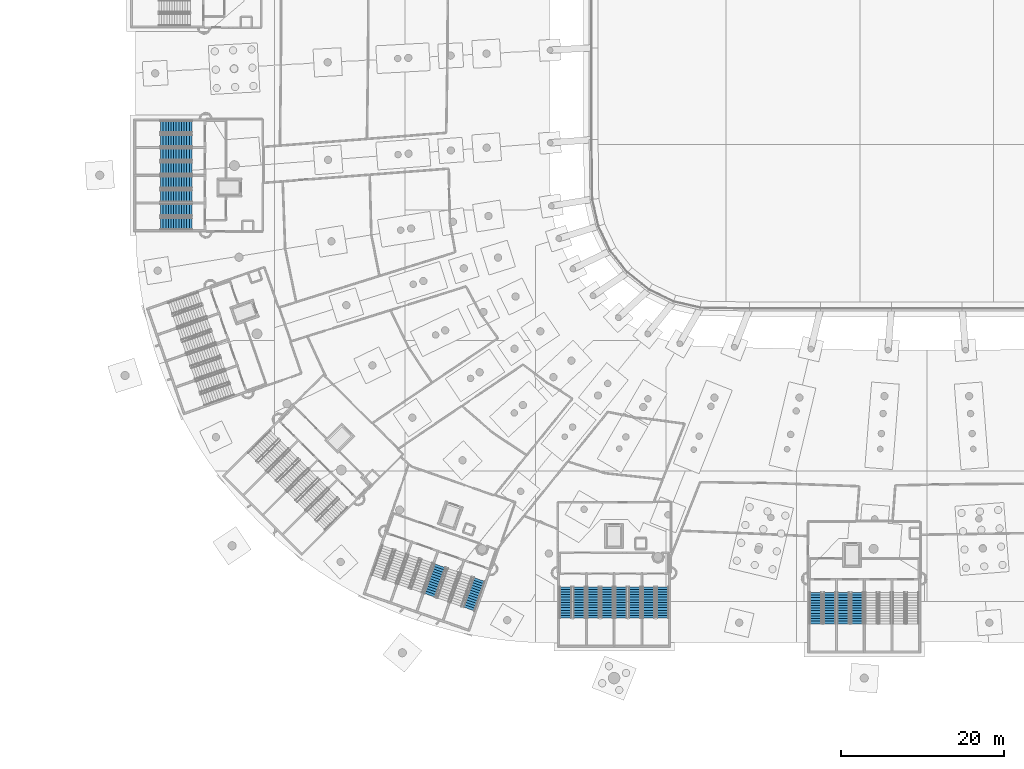
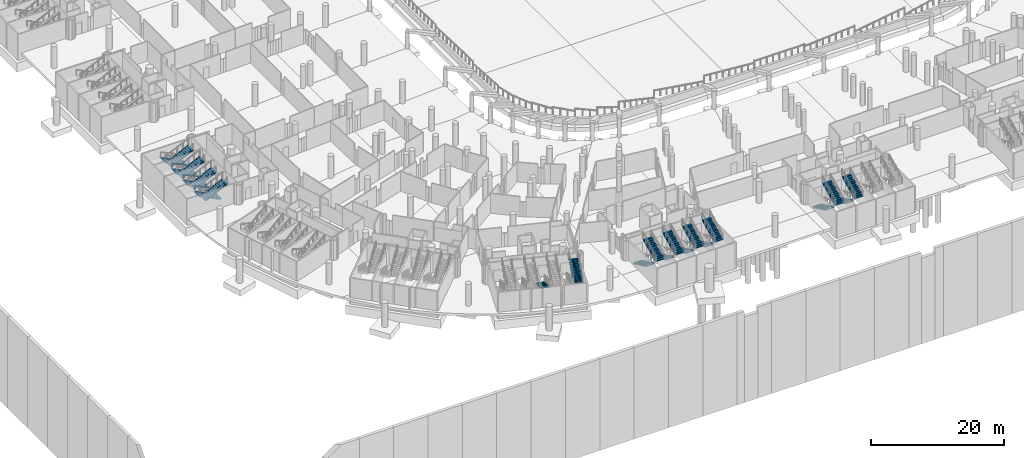
# One storey, part 99 of 142: 22 stair flights, 12 elements without a shape of their own.
"""IFC4 building model written with IfcOpenShell, lengths in metres."""

from ifc_helpers import new_model, si_unit, direction, frame, origin, place, context, subcontext, project, spatial, polyline, outline, extrude, material, type_object, element, aggregate, save


model = new_model("IFC4")

# Units and contexts
model_context = context("Model", 3, precision=1e-05, world=origin(), true_north=direction((0.0, 1.0)))
body_context = subcontext(model_context, "Body", "Model", "MODEL_VIEW")
ifc_project = project(units=[si_unit("LENGTHUNIT", "METRE"), si_unit("AREAUNIT", "SQUARE_METRE"), si_unit("VOLUMEUNIT", "CUBIC_METRE"), si_unit("PLANEANGLEUNIT", "RADIAN"), si_unit("MASSUNIT", "GRAM", prefix="KILO")], contexts=[model_context])

# Site, building, storey
site_placement = place(None, origin())
site = spatial("IfcSite", under=ifc_project, at=site_placement, CompositionType="ELEMENT")
building_placement = place(site_placement, origin())
building = spatial("IfcBuilding", under=site, at=building_placement, Name="Meseta Stadium", CompositionType="ELEMENT")
storey_placement = place(building_placement, frame((0.0, 0.0, -4.0)))
storey = spatial("IfcBuildingStorey", under=building, at=storey_placement, Name="B1", CompositionType="ELEMENT", Elevation=-4.0)

# Stair, stair flights
ifc_material_1 = material(Name="Concrete C40/50", Category="concrete")
stair_type = type_object("IfcStairType", Name="Exit stair 2 flights 154 mm risers", PredefinedType="HALF_TURN_STAIR", material=ifc_material_1)
stair_1_placement = place(storey_placement, origin())
stair_1 = element("IfcStair", 1, at=stair_1_placement, inside=storey, type_object=stair_type, Name="ST73 B1", PredefinedType="HALF_TURN_STAIR")
ifc_material_2 = material(Name="Concrete C40/50", Category="concrete")
stair_flight_type = type_object("IfcStairFlightType", Name="Exit stair flight 154 mm risers, 2 per storey", PredefinedType="STRAIGHT", material=ifc_material_2)
stair_flight_1_placement = place(storey_placement, frame((-90.10009765625, -37.800048828125, 0.0), z_axis=(0.0, 0.0, 1.0), x_axis=(-1.0, 0.0, 0.0)))
stair_flight_1 = element("IfcStairFlight", 2, at=stair_flight_1_placement, type_object=stair_flight_type, Name="ST73 B1 flight 1", NumberOfRisers=13, NumberOfTreads=12, PredefinedType="STRAIGHT", RiserHeight=0.153846154, TreadLength=0.32, context=body_context, shape_type="SweptSolid", body=[
    extrude(outline(polyline([(0.0, 0.0), (0.0, 0.15380859375), (0.320068359375, 0.15380859375), (0.320068359375, 0.3076171875), (0.639892578125, 0.3076171875), (0.639892578125, 0.46142578125), (0.9599609375, 0.46142578125), (0.9599609375, 0.615478515625), (1.280029296875, 0.615478515625), (1.280029296875, 0.769287109375), (1.60009765625, 0.769287109375), (1.60009765625, 0.923095703125), (1.919921875, 0.923095703125), (1.919921875, 1.076904296875), (2.239990234375, 1.076904296875), (2.239990234375, 1.230712890625), (2.56005859375, 1.230712890625), (2.56005859375, 1.384521484375), (2.8798828125, 1.384521484375), (2.8798828125, 1.53857421875), (3.199951171875, 1.53857421875), (3.199951171875, 1.6923828125), (3.52001953125, 1.6923828125), (3.52001953125, 1.84619140625), (3.840087890625, 1.84619140625), (3.840087890625, 1.679931640625), (0.345947265625, 0.0), (0.0, 0.0)])), frame((0.0, 0.75, 0.0), z_axis=(0.0, -1.0, 0.0), x_axis=(1.0, 0.0, 0.0)), (0.0, 0.0, 1.0), 1.5),
])
stair_flight_2_placement = place(storey_placement, frame((-93.93994140625, -39.5, 2.0), z_axis=(0.0, 0.0, 1.0), x_axis=(1.0, 0.0, 0.0)))
stair_flight_2 = element("IfcStairFlight", 3, at=stair_flight_2_placement, type_object=stair_flight_type, Name="ST73 B1 flight 2", NumberOfRisers=13, NumberOfTreads=12, PredefinedType="STRAIGHT", RiserHeight=0.153846154, TreadLength=0.32, context=body_context, shape_type="SweptSolid", body=[
    extrude(outline(polyline([(0.0, 0.0), (0.0, 0.15380859375), (0.320068359375, 0.15380859375), (0.320068359375, 0.3076171875), (0.639892578125, 0.3076171875), (0.639892578125, 0.46142578125), (0.9599609375, 0.46142578125), (0.9599609375, 0.615478515625), (1.280029296875, 0.615478515625), (1.280029296875, 0.769287109375), (1.60009765625, 0.769287109375), (1.60009765625, 0.923095703125), (1.919921875, 0.923095703125), (1.919921875, 1.076904296875), (2.239990234375, 1.076904296875), (2.239990234375, 1.230712890625), (2.56005859375, 1.230712890625), (2.56005859375, 1.384521484375), (2.8798828125, 1.384521484375), (2.8798828125, 1.53857421875), (3.199951171875, 1.53857421875), (3.199951171875, 1.6923828125), (3.52001953125, 1.6923828125), (3.52001953125, 1.84619140625), (3.840087890625, 1.84619140625), (3.840087890625, 1.679931640625), (0.345947265625, 0.0), (0.0, 0.0)])), frame((0.0, 0.75, 0.0), z_axis=(0.0, -1.0, 0.0), x_axis=(1.0, 0.0, 0.0)), (0.0, 0.0, 1.0), 1.5),
])
aggregate(stair_1, [stair_flight_1, stair_flight_2])

stair_2_placement = place(storey_placement, origin())
stair_2 = element("IfcStair", 4, at=stair_2_placement, inside=storey, type_object=stair_type, Name="ST74 B1", PredefinedType="HALF_TURN_STAIR")
stair_flight_3_placement = place(storey_placement, frame((-90.10009765625, -41.199951171875, 0.0), z_axis=(0.0, 0.0, 1.0), x_axis=(-1.0, 0.0, 0.0)))
stair_flight_3 = element("IfcStairFlight", 5, at=stair_flight_3_placement, type_object=stair_flight_type, Name="ST74 B1 flight 1", NumberOfRisers=13, NumberOfTreads=12, PredefinedType="STRAIGHT", RiserHeight=0.153846154, TreadLength=0.32, context=body_context, shape_type="SweptSolid", body=[
    extrude(outline(polyline([(0.0, 0.0), (0.0, 0.15380859375), (0.320068359375, 0.15380859375), (0.320068359375, 0.3076171875), (0.639892578125, 0.3076171875), (0.639892578125, 0.46142578125), (0.9599609375, 0.46142578125), (0.9599609375, 0.615478515625), (1.280029296875, 0.615478515625), (1.280029296875, 0.769287109375), (1.60009765625, 0.769287109375), (1.60009765625, 0.923095703125), (1.919921875, 0.923095703125), (1.919921875, 1.076904296875), (2.239990234375, 1.076904296875), (2.239990234375, 1.230712890625), (2.56005859375, 1.230712890625), (2.56005859375, 1.384521484375), (2.8798828125, 1.384521484375), (2.8798828125, 1.53857421875), (3.199951171875, 1.53857421875), (3.199951171875, 1.6923828125), (3.52001953125, 1.6923828125), (3.52001953125, 1.84619140625), (3.840087890625, 1.84619140625), (3.840087890625, 1.679931640625), (0.345947265625, 0.0), (0.0, 0.0)])), frame((0.0, 0.75, 0.0), z_axis=(0.0, -1.0, 0.0), x_axis=(1.0, 0.0, 0.0)), (0.0, 0.0, 1.0), 1.5),
])
stair_flight_4_placement = place(storey_placement, frame((-93.93994140625, -42.89990234375, 2.0), z_axis=(0.0, 0.0, 1.0), x_axis=(1.0, 0.0, 0.0)))
stair_flight_4 = element("IfcStairFlight", 6, at=stair_flight_4_placement, type_object=stair_flight_type, Name="ST74 B1 flight 2", NumberOfRisers=13, NumberOfTreads=12, PredefinedType="STRAIGHT", RiserHeight=0.153846154, TreadLength=0.32, context=body_context, shape_type="SweptSolid", body=[
    extrude(outline(polyline([(0.0, 0.0), (0.0, 0.15380859375), (0.320068359375, 0.15380859375), (0.320068359375, 0.3076171875), (0.639892578125, 0.3076171875), (0.639892578125, 0.46142578125), (0.9599609375, 0.46142578125), (0.9599609375, 0.615478515625), (1.280029296875, 0.615478515625), (1.280029296875, 0.769287109375), (1.60009765625, 0.769287109375), (1.60009765625, 0.923095703125), (1.919921875, 0.923095703125), (1.919921875, 1.076904296875), (2.239990234375, 1.076904296875), (2.239990234375, 1.230712890625), (2.56005859375, 1.230712890625), (2.56005859375, 1.384521484375), (2.8798828125, 1.384521484375), (2.8798828125, 1.53857421875), (3.199951171875, 1.53857421875), (3.199951171875, 1.6923828125), (3.52001953125, 1.6923828125), (3.52001953125, 1.84619140625), (3.840087890625, 1.84619140625), (3.840087890625, 1.679931640625), (0.345947265625, 0.0), (0.0, 0.0)])), frame((0.0, 0.75, 0.0), z_axis=(0.0, -1.0, 0.0), x_axis=(1.0, 0.0, 0.0)), (0.0, 0.0, 1.0), 1.5),
])
aggregate(stair_2, [stair_flight_3, stair_flight_4])

stair_3_placement = place(storey_placement, origin())
stair_3 = element("IfcStair", 7, at=stair_3_placement, inside=storey, type_object=stair_type, Name="ST75 B1", PredefinedType="HALF_TURN_STAIR")
stair_flight_5_placement = place(storey_placement, frame((-90.10009765625, -44.60009765625, 0.0), z_axis=(0.0, 0.0, 1.0), x_axis=(-1.0, 0.0, 0.0)))
stair_flight_5 = element("IfcStairFlight", 8, at=stair_flight_5_placement, type_object=stair_flight_type, Name="ST75 B1 flight 1", NumberOfRisers=13, NumberOfTreads=12, PredefinedType="STRAIGHT", RiserHeight=0.153846154, TreadLength=0.32, context=body_context, shape_type="SweptSolid", body=[
    extrude(outline(polyline([(0.0, 0.0), (0.0, 0.15380859375), (0.320068359375, 0.15380859375), (0.320068359375, 0.3076171875), (0.639892578125, 0.3076171875), (0.639892578125, 0.46142578125), (0.9599609375, 0.46142578125), (0.9599609375, 0.615478515625), (1.280029296875, 0.615478515625), (1.280029296875, 0.769287109375), (1.60009765625, 0.769287109375), (1.60009765625, 0.923095703125), (1.919921875, 0.923095703125), (1.919921875, 1.076904296875), (2.239990234375, 1.076904296875), (2.239990234375, 1.230712890625), (2.56005859375, 1.230712890625), (2.56005859375, 1.384521484375), (2.8798828125, 1.384521484375), (2.8798828125, 1.53857421875), (3.199951171875, 1.53857421875), (3.199951171875, 1.6923828125), (3.52001953125, 1.6923828125), (3.52001953125, 1.84619140625), (3.840087890625, 1.84619140625), (3.840087890625, 1.679931640625), (0.345947265625, 0.0), (0.0, 0.0)])), frame((0.0, 0.75, 0.0), z_axis=(0.0, -1.0, 0.0), x_axis=(1.0, 0.0, 0.0)), (0.0, 0.0, 1.0), 1.5),
])
stair_flight_6_placement = place(storey_placement, frame((-93.93994140625, -46.300048828125, 2.0), z_axis=(0.0, 0.0, 1.0), x_axis=(1.0, 0.0, 0.0)))
stair_flight_6 = element("IfcStairFlight", 9, at=stair_flight_6_placement, type_object=stair_flight_type, Name="ST75 B1 flight 2", NumberOfRisers=13, NumberOfTreads=12, PredefinedType="STRAIGHT", RiserHeight=0.153846154, TreadLength=0.32, context=body_context, shape_type="SweptSolid", body=[
    extrude(outline(polyline([(0.0, 0.0), (0.0, 0.15380859375), (0.320068359375, 0.15380859375), (0.320068359375, 0.3076171875), (0.639892578125, 0.3076171875), (0.639892578125, 0.46142578125), (0.9599609375, 0.46142578125), (0.9599609375, 0.615478515625), (1.280029296875, 0.615478515625), (1.280029296875, 0.769287109375), (1.60009765625, 0.769287109375), (1.60009765625, 0.923095703125), (1.919921875, 0.923095703125), (1.919921875, 1.076904296875), (2.239990234375, 1.076904296875), (2.239990234375, 1.230712890625), (2.56005859375, 1.230712890625), (2.56005859375, 1.384521484375), (2.8798828125, 1.384521484375), (2.8798828125, 1.53857421875), (3.199951171875, 1.53857421875), (3.199951171875, 1.6923828125), (3.52001953125, 1.6923828125), (3.52001953125, 1.84619140625), (3.840087890625, 1.84619140625), (3.840087890625, 1.679931640625), (0.345947265625, 0.0), (0.0, 0.0)])), frame((0.0, 0.75, 0.0), z_axis=(0.0, -1.0, 0.0), x_axis=(1.0, 0.0, 0.0)), (0.0, 0.0, 1.0), 1.5),
])
aggregate(stair_3, [stair_flight_5, stair_flight_6])

stair_4_placement = place(storey_placement, origin())
stair_4 = element("IfcStair", 10, at=stair_4_placement, inside=storey, type_object=stair_type, Name="ST76 B1", PredefinedType="HALF_TURN_STAIR")
stair_flight_7_placement = place(storey_placement, frame((-90.10009765625, -48.0, 0.0), z_axis=(0.0, 0.0, 1.0), x_axis=(-1.0, 0.0, 0.0)))
stair_flight_7 = element("IfcStairFlight", 11, at=stair_flight_7_placement, type_object=stair_flight_type, Name="ST76 B1 flight 1", NumberOfRisers=13, NumberOfTreads=12, PredefinedType="STRAIGHT", RiserHeight=0.153846154, TreadLength=0.32, context=body_context, shape_type="SweptSolid", body=[
    extrude(outline(polyline([(0.0, 0.0), (0.0, 0.15380859375), (0.320068359375, 0.15380859375), (0.320068359375, 0.3076171875), (0.639892578125, 0.3076171875), (0.639892578125, 0.46142578125), (0.9599609375, 0.46142578125), (0.9599609375, 0.615478515625), (1.280029296875, 0.615478515625), (1.280029296875, 0.769287109375), (1.60009765625, 0.769287109375), (1.60009765625, 0.923095703125), (1.919921875, 0.923095703125), (1.919921875, 1.076904296875), (2.239990234375, 1.076904296875), (2.239990234375, 1.230712890625), (2.56005859375, 1.230712890625), (2.56005859375, 1.384521484375), (2.8798828125, 1.384521484375), (2.8798828125, 1.53857421875), (3.199951171875, 1.53857421875), (3.199951171875, 1.6923828125), (3.52001953125, 1.6923828125), (3.52001953125, 1.84619140625), (3.840087890625, 1.84619140625), (3.840087890625, 1.679931640625), (0.345947265625, 0.0), (0.0, 0.0)])), frame((0.0, 0.75, 0.0), z_axis=(0.0, -1.0, 0.0), x_axis=(1.0, 0.0, 0.0)), (0.0, 0.0, 1.0), 1.5),
])
stair_flight_8_placement = place(storey_placement, frame((-93.93994140625, -49.699951171875, 2.0), z_axis=(0.0, 0.0, 1.0), x_axis=(1.0, 0.0, 0.0)))
stair_flight_8 = element("IfcStairFlight", 12, at=stair_flight_8_placement, type_object=stair_flight_type, Name="ST76 B1 flight 2", NumberOfRisers=13, NumberOfTreads=12, PredefinedType="STRAIGHT", RiserHeight=0.153846154, TreadLength=0.32, context=body_context, shape_type="SweptSolid", body=[
    extrude(outline(polyline([(0.0, 0.0), (0.0, 0.15380859375), (0.320068359375, 0.15380859375), (0.320068359375, 0.3076171875), (0.639892578125, 0.3076171875), (0.639892578125, 0.46142578125), (0.9599609375, 0.46142578125), (0.9599609375, 0.615478515625), (1.280029296875, 0.615478515625), (1.280029296875, 0.769287109375), (1.60009765625, 0.769287109375), (1.60009765625, 0.923095703125), (1.919921875, 0.923095703125), (1.919921875, 1.076904296875), (2.239990234375, 1.076904296875), (2.239990234375, 1.230712890625), (2.56005859375, 1.230712890625), (2.56005859375, 1.384521484375), (2.8798828125, 1.384521484375), (2.8798828125, 1.53857421875), (3.199951171875, 1.53857421875), (3.199951171875, 1.6923828125), (3.52001953125, 1.6923828125), (3.52001953125, 1.84619140625), (3.840087890625, 1.84619140625), (3.840087890625, 1.679931640625), (0.345947265625, 0.0), (0.0, 0.0)])), frame((0.0, 0.75, 0.0), z_axis=(0.0, -1.0, 0.0), x_axis=(1.0, 0.0, 0.0)), (0.0, 0.0, 1.0), 1.5),
])
aggregate(stair_4, [stair_flight_7, stair_flight_8])

# Stair, stair flight
stair_5_placement = place(storey_placement, origin())
stair_5 = element("IfcStair", 13, at=stair_5_placement, inside=storey, type_object=stair_type, Name="ST87 B1", PredefinedType="HALF_TURN_STAIR")
stair_flight_9_placement = place(storey_placement, frame((-59.663818359375, -91.622802734375, 0.0), z_axis=(0.0, 0.0, 1.0), x_axis=(-0.330279057248, -0.943883331955, 0.0)))
stair_flight_9 = element("IfcStairFlight", 14, at=stair_flight_9_placement, type_object=stair_flight_type, Name="ST87 B1 flight 1", NumberOfRisers=13, NumberOfTreads=12, PredefinedType="STRAIGHT", RiserHeight=0.153846154, TreadLength=0.32, context=body_context, shape_type="SweptSolid", body=[
    extrude(outline(polyline([(0.0, 0.0), (0.0, 0.15380859375), (0.320068359375, 0.15380859375), (0.320068359375, 0.3076171875), (0.639892578125, 0.3076171875), (0.639892578125, 0.46142578125), (0.9599609375, 0.46142578125), (0.9599609375, 0.615478515625), (1.280029296875, 0.615478515625), (1.280029296875, 0.769287109375), (1.60009765625, 0.769287109375), (1.60009765625, 0.923095703125), (1.919921875, 0.923095703125), (1.919921875, 1.076904296875), (2.239990234375, 1.076904296875), (2.239990234375, 1.230712890625), (2.56005859375, 1.230712890625), (2.56005859375, 1.384521484375), (2.8798828125, 1.384521484375), (2.8798828125, 1.53857421875), (3.199951171875, 1.53857421875), (3.199951171875, 1.6923828125), (3.52001953125, 1.6923828125), (3.52001953125, 1.84619140625), (3.840087890625, 1.84619140625), (3.840087890625, 1.679931640625), (0.345947265625, 0.0), (0.0, 0.0)])), frame((0.0, 0.75, 0.0), z_axis=(0.0, -1.0, 0.0), x_axis=(1.0, 0.0, 0.0)), (0.0, 0.0, 1.0), 1.5),
])
aggregate(stair_5, [stair_flight_9])

stair_6_placement = place(storey_placement, origin())
stair_6 = element("IfcStair", 15, at=stair_6_placement, inside=storey, type_object=stair_type, Name="ST88 B1", PredefinedType="HALF_TURN_STAIR")
stair_flight_10_placement = place(storey_placement, frame((-56.118408203125, -96.931640625, 2.0), z_axis=(0.0, 0.0, 1.0), x_axis=(0.330279057248, 0.943883331955, 0.0)))
stair_flight_10 = element("IfcStairFlight", 16, at=stair_flight_10_placement, type_object=stair_flight_type, Name="ST88 B1 flight 2", NumberOfRisers=13, NumberOfTreads=12, PredefinedType="STRAIGHT", RiserHeight=0.153846154, TreadLength=0.32, context=body_context, shape_type="SweptSolid", body=[
    extrude(outline(polyline([(0.0, 0.0), (0.0, 0.15380859375), (0.320068359375, 0.15380859375), (0.320068359375, 0.3076171875), (0.639892578125, 0.3076171875), (0.639892578125, 0.46142578125), (0.9599609375, 0.46142578125), (0.9599609375, 0.615478515625), (1.280029296875, 0.615478515625), (1.280029296875, 0.769287109375), (1.60009765625, 0.769287109375), (1.60009765625, 0.923095703125), (1.919921875, 0.923095703125), (1.919921875, 1.076904296875), (2.239990234375, 1.076904296875), (2.239990234375, 1.230712890625), (2.56005859375, 1.230712890625), (2.56005859375, 1.384521484375), (2.8798828125, 1.384521484375), (2.8798828125, 1.53857421875), (3.199951171875, 1.53857421875), (3.199951171875, 1.6923828125), (3.52001953125, 1.6923828125), (3.52001953125, 1.84619140625), (3.840087890625, 1.84619140625), (3.840087890625, 1.679931640625), (0.345947265625, 0.0), (0.0, 0.0)])), frame((0.0, 0.75, 0.0), z_axis=(0.0, -1.0, 0.0), x_axis=(1.0, 0.0, 0.0)), (0.0, 0.0, 1.0), 1.5),
])
aggregate(stair_6, [stair_flight_10])

# Stair, stair flights
stair_7_placement = place(storey_placement, origin())
stair_7 = element("IfcStair", 17, at=stair_7_placement, inside=storey, type_object=stair_type, Name="ST89 B1", PredefinedType="HALF_TURN_STAIR")
stair_flight_11_placement = place(storey_placement, frame((-44.283447265625, -94.199951171875, 0.0), z_axis=(0.0, 0.0, 1.0), x_axis=(0.0, -1.0, 0.0)))
stair_flight_11 = element("IfcStairFlight", 18, at=stair_flight_11_placement, type_object=stair_flight_type, Name="ST89 B1 flight 1", NumberOfRisers=13, NumberOfTreads=12, PredefinedType="STRAIGHT", RiserHeight=0.153846154, TreadLength=0.32, context=body_context, shape_type="SweptSolid", body=[
    extrude(outline(polyline([(0.0, 0.0), (0.0, 0.15380859375), (0.320068359375, 0.15380859375), (0.320068359375, 0.3076171875), (0.639892578125, 0.3076171875), (0.639892578125, 0.46142578125), (0.9599609375, 0.46142578125), (0.9599609375, 0.615478515625), (1.280029296875, 0.615478515625), (1.280029296875, 0.769287109375), (1.60009765625, 0.769287109375), (1.60009765625, 0.923095703125), (1.919921875, 0.923095703125), (1.919921875, 1.076904296875), (2.239990234375, 1.076904296875), (2.239990234375, 1.230712890625), (2.56005859375, 1.230712890625), (2.56005859375, 1.384521484375), (2.8798828125, 1.384521484375), (2.8798828125, 1.53857421875), (3.199951171875, 1.53857421875), (3.199951171875, 1.6923828125), (3.52001953125, 1.6923828125), (3.52001953125, 1.84619140625), (3.840087890625, 1.84619140625), (3.840087890625, 1.679931640625), (0.345947265625, 0.0), (0.0, 0.0)])), frame((0.0, 0.75, 0.0), z_axis=(0.0, -1.0, 0.0), x_axis=(1.0, 0.0, 0.0)), (0.0, 0.0, 1.0), 1.5),
])
stair_flight_12_placement = place(storey_placement, frame((-42.583251953125, -98.0400390625, 2.0), z_axis=(0.0, 0.0, 1.0), x_axis=(0.0, 1.0, 0.0)))
stair_flight_12 = element("IfcStairFlight", 19, at=stair_flight_12_placement, type_object=stair_flight_type, Name="ST89 B1 flight 2", NumberOfRisers=13, NumberOfTreads=12, PredefinedType="STRAIGHT", RiserHeight=0.153846154, TreadLength=0.32, context=body_context, shape_type="SweptSolid", body=[
    extrude(outline(polyline([(0.0, 0.0), (0.0, 0.15380859375), (0.320068359375, 0.15380859375), (0.320068359375, 0.3076171875), (0.639892578125, 0.3076171875), (0.639892578125, 0.46142578125), (0.9599609375, 0.46142578125), (0.9599609375, 0.615478515625), (1.280029296875, 0.615478515625), (1.280029296875, 0.769287109375), (1.60009765625, 0.769287109375), (1.60009765625, 0.923095703125), (1.919921875, 0.923095703125), (1.919921875, 1.076904296875), (2.239990234375, 1.076904296875), (2.239990234375, 1.230712890625), (2.56005859375, 1.230712890625), (2.56005859375, 1.384521484375), (2.8798828125, 1.384521484375), (2.8798828125, 1.53857421875), (3.199951171875, 1.53857421875), (3.199951171875, 1.6923828125), (3.52001953125, 1.6923828125), (3.52001953125, 1.84619140625), (3.840087890625, 1.84619140625), (3.840087890625, 1.679931640625), (0.345947265625, 0.0), (0.0, 0.0)])), frame((0.0, 0.75, 0.0), z_axis=(0.0, -1.0, 0.0), x_axis=(1.0, 0.0, 0.0)), (0.0, 0.0, 1.0), 1.5),
])
aggregate(stair_7, [stair_flight_11, stair_flight_12])

stair_8_placement = place(storey_placement, origin())
stair_8 = element("IfcStair", 20, at=stair_8_placement, inside=storey, type_object=stair_type, Name="ST90 B1", PredefinedType="HALF_TURN_STAIR")
stair_flight_13_placement = place(storey_placement, frame((-40.88330078125, -94.199951171875, 0.0), z_axis=(0.0, 0.0, 1.0), x_axis=(0.0, -1.0, 0.0)))
stair_flight_13 = element("IfcStairFlight", 21, at=stair_flight_13_placement, type_object=stair_flight_type, Name="ST90 B1 flight 1", NumberOfRisers=13, NumberOfTreads=12, PredefinedType="STRAIGHT", RiserHeight=0.153846154, TreadLength=0.32, context=body_context, shape_type="SweptSolid", body=[
    extrude(outline(polyline([(0.0, 0.0), (0.0, 0.15380859375), (0.320068359375, 0.15380859375), (0.320068359375, 0.3076171875), (0.639892578125, 0.3076171875), (0.639892578125, 0.46142578125), (0.9599609375, 0.46142578125), (0.9599609375, 0.615478515625), (1.280029296875, 0.615478515625), (1.280029296875, 0.769287109375), (1.60009765625, 0.769287109375), (1.60009765625, 0.923095703125), (1.919921875, 0.923095703125), (1.919921875, 1.076904296875), (2.239990234375, 1.076904296875), (2.239990234375, 1.230712890625), (2.56005859375, 1.230712890625), (2.56005859375, 1.384521484375), (2.8798828125, 1.384521484375), (2.8798828125, 1.53857421875), (3.199951171875, 1.53857421875), (3.199951171875, 1.6923828125), (3.52001953125, 1.6923828125), (3.52001953125, 1.84619140625), (3.840087890625, 1.84619140625), (3.840087890625, 1.679931640625), (0.345947265625, 0.0), (0.0, 0.0)])), frame((0.0, 0.75, 0.0), z_axis=(0.0, -1.0, 0.0), x_axis=(1.0, 0.0, 0.0)), (0.0, 0.0, 1.0), 1.5),
])
stair_flight_14_placement = place(storey_placement, frame((-39.183349609375, -98.0400390625, 2.0), z_axis=(0.0, 0.0, 1.0), x_axis=(0.0, 1.0, 0.0)))
stair_flight_14 = element("IfcStairFlight", 22, at=stair_flight_14_placement, type_object=stair_flight_type, Name="ST90 B1 flight 2", NumberOfRisers=13, NumberOfTreads=12, PredefinedType="STRAIGHT", RiserHeight=0.153846154, TreadLength=0.32, context=body_context, shape_type="SweptSolid", body=[
    extrude(outline(polyline([(0.0, 0.0), (0.0, 0.15380859375), (0.320068359375, 0.15380859375), (0.320068359375, 0.3076171875), (0.639892578125, 0.3076171875), (0.639892578125, 0.46142578125), (0.9599609375, 0.46142578125), (0.9599609375, 0.615478515625), (1.280029296875, 0.615478515625), (1.280029296875, 0.769287109375), (1.60009765625, 0.769287109375), (1.60009765625, 0.923095703125), (1.919921875, 0.923095703125), (1.919921875, 1.076904296875), (2.239990234375, 1.076904296875), (2.239990234375, 1.230712890625), (2.56005859375, 1.230712890625), (2.56005859375, 1.384521484375), (2.8798828125, 1.384521484375), (2.8798828125, 1.53857421875), (3.199951171875, 1.53857421875), (3.199951171875, 1.6923828125), (3.52001953125, 1.6923828125), (3.52001953125, 1.84619140625), (3.840087890625, 1.84619140625), (3.840087890625, 1.679931640625), (0.345947265625, 0.0), (0.0, 0.0)])), frame((0.0, 0.75, 0.0), z_axis=(0.0, -1.0, 0.0), x_axis=(1.0, 0.0, 0.0)), (0.0, 0.0, 1.0), 1.5),
])
aggregate(stair_8, [stair_flight_13, stair_flight_14])

stair_9_placement = place(storey_placement, origin())
stair_9 = element("IfcStair", 23, at=stair_9_placement, inside=storey, type_object=stair_type, Name="ST91 B1", PredefinedType="HALF_TURN_STAIR")
stair_flight_15_placement = place(storey_placement, frame((-37.4833984375, -94.199951171875, 0.0), z_axis=(0.0, 0.0, 1.0), x_axis=(0.0, -1.0, 0.0)))
stair_flight_15 = element("IfcStairFlight", 24, at=stair_flight_15_placement, type_object=stair_flight_type, Name="ST91 B1 flight 1", NumberOfRisers=13, NumberOfTreads=12, PredefinedType="STRAIGHT", RiserHeight=0.153846154, TreadLength=0.32, context=body_context, shape_type="SweptSolid", body=[
    extrude(outline(polyline([(0.0, 0.0), (0.0, 0.15380859375), (0.320068359375, 0.15380859375), (0.320068359375, 0.3076171875), (0.639892578125, 0.3076171875), (0.639892578125, 0.46142578125), (0.9599609375, 0.46142578125), (0.9599609375, 0.615478515625), (1.280029296875, 0.615478515625), (1.280029296875, 0.769287109375), (1.60009765625, 0.769287109375), (1.60009765625, 0.923095703125), (1.919921875, 0.923095703125), (1.919921875, 1.076904296875), (2.239990234375, 1.076904296875), (2.239990234375, 1.230712890625), (2.56005859375, 1.230712890625), (2.56005859375, 1.384521484375), (2.8798828125, 1.384521484375), (2.8798828125, 1.53857421875), (3.199951171875, 1.53857421875), (3.199951171875, 1.6923828125), (3.52001953125, 1.6923828125), (3.52001953125, 1.84619140625), (3.840087890625, 1.84619140625), (3.840087890625, 1.679931640625), (0.345947265625, 0.0), (0.0, 0.0)])), frame((0.0, 0.75, 0.0), z_axis=(0.0, -1.0, 0.0), x_axis=(1.0, 0.0, 0.0)), (0.0, 0.0, 1.0), 1.5),
])
stair_flight_16_placement = place(storey_placement, frame((-35.783447265625, -98.0400390625, 2.0), z_axis=(0.0, 0.0, 1.0), x_axis=(0.0, 1.0, 0.0)))
stair_flight_16 = element("IfcStairFlight", 25, at=stair_flight_16_placement, type_object=stair_flight_type, Name="ST91 B1 flight 2", NumberOfRisers=13, NumberOfTreads=12, PredefinedType="STRAIGHT", RiserHeight=0.153846154, TreadLength=0.32, context=body_context, shape_type="SweptSolid", body=[
    extrude(outline(polyline([(0.0, 0.0), (0.0, 0.15380859375), (0.320068359375, 0.15380859375), (0.320068359375, 0.3076171875), (0.639892578125, 0.3076171875), (0.639892578125, 0.46142578125), (0.9599609375, 0.46142578125), (0.9599609375, 0.615478515625), (1.280029296875, 0.615478515625), (1.280029296875, 0.769287109375), (1.60009765625, 0.769287109375), (1.60009765625, 0.923095703125), (1.919921875, 0.923095703125), (1.919921875, 1.076904296875), (2.239990234375, 1.076904296875), (2.239990234375, 1.230712890625), (2.56005859375, 1.230712890625), (2.56005859375, 1.384521484375), (2.8798828125, 1.384521484375), (2.8798828125, 1.53857421875), (3.199951171875, 1.53857421875), (3.199951171875, 1.6923828125), (3.52001953125, 1.6923828125), (3.52001953125, 1.84619140625), (3.840087890625, 1.84619140625), (3.840087890625, 1.679931640625), (0.345947265625, 0.0), (0.0, 0.0)])), frame((0.0, 0.75, 0.0), z_axis=(0.0, -1.0, 0.0), x_axis=(1.0, 0.0, 0.0)), (0.0, 0.0, 1.0), 1.5),
])
aggregate(stair_9, [stair_flight_15, stair_flight_16])

stair_10_placement = place(storey_placement, origin())
stair_10 = element("IfcStair", 26, at=stair_10_placement, inside=storey, type_object=stair_type, Name="ST92 B1", PredefinedType="HALF_TURN_STAIR")
stair_flight_17_placement = place(storey_placement, frame((-34.083251953125, -94.199951171875, 0.0), z_axis=(0.0, 0.0, 1.0), x_axis=(0.0, -1.0, 0.0)))
stair_flight_17 = element("IfcStairFlight", 27, at=stair_flight_17_placement, type_object=stair_flight_type, Name="ST92 B1 flight 1", NumberOfRisers=13, NumberOfTreads=12, PredefinedType="STRAIGHT", RiserHeight=0.153846154, TreadLength=0.32, context=body_context, shape_type="SweptSolid", body=[
    extrude(outline(polyline([(0.0, 0.0), (0.0, 0.15380859375), (0.320068359375, 0.15380859375), (0.320068359375, 0.3076171875), (0.639892578125, 0.3076171875), (0.639892578125, 0.46142578125), (0.9599609375, 0.46142578125), (0.9599609375, 0.615478515625), (1.280029296875, 0.615478515625), (1.280029296875, 0.769287109375), (1.60009765625, 0.769287109375), (1.60009765625, 0.923095703125), (1.919921875, 0.923095703125), (1.919921875, 1.076904296875), (2.239990234375, 1.076904296875), (2.239990234375, 1.230712890625), (2.56005859375, 1.230712890625), (2.56005859375, 1.384521484375), (2.8798828125, 1.384521484375), (2.8798828125, 1.53857421875), (3.199951171875, 1.53857421875), (3.199951171875, 1.6923828125), (3.52001953125, 1.6923828125), (3.52001953125, 1.84619140625), (3.840087890625, 1.84619140625), (3.840087890625, 1.679931640625), (0.345947265625, 0.0), (0.0, 0.0)])), frame((0.0, 0.75, 0.0), z_axis=(0.0, -1.0, 0.0), x_axis=(1.0, 0.0, 0.0)), (0.0, 0.0, 1.0), 1.5),
])
stair_flight_18_placement = place(storey_placement, frame((-32.38330078125, -98.0400390625, 2.0), z_axis=(0.0, 0.0, 1.0), x_axis=(0.0, 1.0, 0.0)))
stair_flight_18 = element("IfcStairFlight", 28, at=stair_flight_18_placement, type_object=stair_flight_type, Name="ST92 B1 flight 2", NumberOfRisers=13, NumberOfTreads=12, PredefinedType="STRAIGHT", RiserHeight=0.153846154, TreadLength=0.32, context=body_context, shape_type="SweptSolid", body=[
    extrude(outline(polyline([(0.0, 0.0), (0.0, 0.15380859375), (0.320068359375, 0.15380859375), (0.320068359375, 0.3076171875), (0.639892578125, 0.3076171875), (0.639892578125, 0.46142578125), (0.9599609375, 0.46142578125), (0.9599609375, 0.615478515625), (1.280029296875, 0.615478515625), (1.280029296875, 0.769287109375), (1.60009765625, 0.769287109375), (1.60009765625, 0.923095703125), (1.919921875, 0.923095703125), (1.919921875, 1.076904296875), (2.239990234375, 1.076904296875), (2.239990234375, 1.230712890625), (2.56005859375, 1.230712890625), (2.56005859375, 1.384521484375), (2.8798828125, 1.384521484375), (2.8798828125, 1.53857421875), (3.199951171875, 1.53857421875), (3.199951171875, 1.6923828125), (3.52001953125, 1.6923828125), (3.52001953125, 1.84619140625), (3.840087890625, 1.84619140625), (3.840087890625, 1.679931640625), (0.345947265625, 0.0), (0.0, 0.0)])), frame((0.0, 0.75, 0.0), z_axis=(0.0, -1.0, 0.0), x_axis=(1.0, 0.0, 0.0)), (0.0, 0.0, 1.0), 1.5),
])
aggregate(stair_10, [stair_flight_17, stair_flight_18])

stair_11_placement = place(storey_placement, origin())
stair_11 = element("IfcStair", 29, at=stair_11_placement, inside=storey, type_object=stair_type, Name="ST93 B1", PredefinedType="HALF_TURN_STAIR")
stair_flight_19_placement = place(storey_placement, frame((-13.61669921875, -94.89990234375, 0.0), z_axis=(0.0, 0.0, 1.0), x_axis=(0.0, -1.0, 0.0)))
stair_flight_19 = element("IfcStairFlight", 30, at=stair_flight_19_placement, type_object=stair_flight_type, Name="ST93 B1 flight 1", NumberOfRisers=13, NumberOfTreads=12, PredefinedType="STRAIGHT", RiserHeight=0.153846154, TreadLength=0.32, context=body_context, shape_type="SweptSolid", body=[
    extrude(outline(polyline([(0.0, 0.0), (0.0, 0.15380859375), (0.320068359375, 0.15380859375), (0.320068359375, 0.3076171875), (0.639892578125, 0.3076171875), (0.639892578125, 0.46142578125), (0.9599609375, 0.46142578125), (0.9599609375, 0.615478515625), (1.280029296875, 0.615478515625), (1.280029296875, 0.769287109375), (1.60009765625, 0.769287109375), (1.60009765625, 0.923095703125), (1.919921875, 0.923095703125), (1.919921875, 1.076904296875), (2.239990234375, 1.076904296875), (2.239990234375, 1.230712890625), (2.56005859375, 1.230712890625), (2.56005859375, 1.384521484375), (2.8798828125, 1.384521484375), (2.8798828125, 1.53857421875), (3.199951171875, 1.53857421875), (3.199951171875, 1.6923828125), (3.52001953125, 1.6923828125), (3.52001953125, 1.84619140625), (3.840087890625, 1.84619140625), (3.840087890625, 1.679931640625), (0.345947265625, 0.0), (0.0, 0.0)])), frame((0.0, 0.75, 0.0), z_axis=(0.0, -1.0, 0.0), x_axis=(1.0, 0.0, 0.0)), (0.0, 0.0, 1.0), 1.5),
])
stair_flight_20_placement = place(storey_placement, frame((-11.916748046875, -98.739990234375, 2.0), z_axis=(0.0, 0.0, 1.0), x_axis=(0.0, 1.0, 0.0)))
stair_flight_20 = element("IfcStairFlight", 31, at=stair_flight_20_placement, type_object=stair_flight_type, Name="ST93 B1 flight 2", NumberOfRisers=13, NumberOfTreads=12, PredefinedType="STRAIGHT", RiserHeight=0.153846154, TreadLength=0.32, context=body_context, shape_type="SweptSolid", body=[
    extrude(outline(polyline([(0.0, 0.0), (0.0, 0.15380859375), (0.320068359375, 0.15380859375), (0.320068359375, 0.3076171875), (0.639892578125, 0.3076171875), (0.639892578125, 0.46142578125), (0.9599609375, 0.46142578125), (0.9599609375, 0.615478515625), (1.280029296875, 0.615478515625), (1.280029296875, 0.769287109375), (1.60009765625, 0.769287109375), (1.60009765625, 0.923095703125), (1.919921875, 0.923095703125), (1.919921875, 1.076904296875), (2.239990234375, 1.076904296875), (2.239990234375, 1.230712890625), (2.56005859375, 1.230712890625), (2.56005859375, 1.384521484375), (2.8798828125, 1.384521484375), (2.8798828125, 1.53857421875), (3.199951171875, 1.53857421875), (3.199951171875, 1.6923828125), (3.52001953125, 1.6923828125), (3.52001953125, 1.84619140625), (3.840087890625, 1.84619140625), (3.840087890625, 1.679931640625), (0.345947265625, 0.0), (0.0, 0.0)])), frame((0.0, 0.75, 0.0), z_axis=(0.0, -1.0, 0.0), x_axis=(1.0, 0.0, 0.0)), (0.0, 0.0, 1.0), 1.5),
])
aggregate(stair_11, [stair_flight_19, stair_flight_20])

stair_12_placement = place(storey_placement, origin())
stair_12 = element("IfcStair", 32, at=stair_12_placement, inside=storey, type_object=stair_type, Name="ST94 B1", PredefinedType="HALF_TURN_STAIR")
stair_flight_21_placement = place(storey_placement, frame((-10.216552734375, -94.89990234375, 0.0), z_axis=(0.0, 0.0, 1.0), x_axis=(0.0, -1.0, 0.0)))
stair_flight_21 = element("IfcStairFlight", 33, at=stair_flight_21_placement, type_object=stair_flight_type, Name="ST94 B1 flight 1", NumberOfRisers=13, NumberOfTreads=12, PredefinedType="STRAIGHT", RiserHeight=0.153846154, TreadLength=0.32, context=body_context, shape_type="SweptSolid", body=[
    extrude(outline(polyline([(0.0, 0.0), (0.0, 0.15380859375), (0.320068359375, 0.15380859375), (0.320068359375, 0.3076171875), (0.639892578125, 0.3076171875), (0.639892578125, 0.46142578125), (0.9599609375, 0.46142578125), (0.9599609375, 0.615478515625), (1.280029296875, 0.615478515625), (1.280029296875, 0.769287109375), (1.60009765625, 0.769287109375), (1.60009765625, 0.923095703125), (1.919921875, 0.923095703125), (1.919921875, 1.076904296875), (2.239990234375, 1.076904296875), (2.239990234375, 1.230712890625), (2.56005859375, 1.230712890625), (2.56005859375, 1.384521484375), (2.8798828125, 1.384521484375), (2.8798828125, 1.53857421875), (3.199951171875, 1.53857421875), (3.199951171875, 1.6923828125), (3.52001953125, 1.6923828125), (3.52001953125, 1.84619140625), (3.840087890625, 1.84619140625), (3.840087890625, 1.679931640625), (0.345947265625, 0.0), (0.0, 0.0)])), frame((0.0, 0.75, 0.0), z_axis=(0.0, -1.0, 0.0), x_axis=(1.0, 0.0, 0.0)), (0.0, 0.0, 1.0), 1.5),
])
stair_flight_22_placement = place(storey_placement, frame((-8.5166015625, -98.739990234375, 2.0), z_axis=(0.0, 0.0, 1.0), x_axis=(0.0, 1.0, 0.0)))
stair_flight_22 = element("IfcStairFlight", 34, at=stair_flight_22_placement, type_object=stair_flight_type, Name="ST94 B1 flight 2", NumberOfRisers=13, NumberOfTreads=12, PredefinedType="STRAIGHT", RiserHeight=0.153846154, TreadLength=0.32, context=body_context, shape_type="SweptSolid", body=[
    extrude(outline(polyline([(0.0, 0.0), (0.0, 0.15380859375), (0.320068359375, 0.15380859375), (0.320068359375, 0.3076171875), (0.639892578125, 0.3076171875), (0.639892578125, 0.46142578125), (0.9599609375, 0.46142578125), (0.9599609375, 0.615478515625), (1.280029296875, 0.615478515625), (1.280029296875, 0.769287109375), (1.60009765625, 0.769287109375), (1.60009765625, 0.923095703125), (1.919921875, 0.923095703125), (1.919921875, 1.076904296875), (2.239990234375, 1.076904296875), (2.239990234375, 1.230712890625), (2.56005859375, 1.230712890625), (2.56005859375, 1.384521484375), (2.8798828125, 1.384521484375), (2.8798828125, 1.53857421875), (3.199951171875, 1.53857421875), (3.199951171875, 1.6923828125), (3.52001953125, 1.6923828125), (3.52001953125, 1.84619140625), (3.840087890625, 1.84619140625), (3.840087890625, 1.679931640625), (0.345947265625, 0.0), (0.0, 0.0)])), frame((0.0, 0.75, 0.0), z_axis=(0.0, -1.0, 0.0), x_axis=(1.0, 0.0, 0.0)), (0.0, 0.0, 1.0), 1.5),
])
aggregate(stair_12, [stair_flight_21, stair_flight_22])

save(model, "model.ifc")
